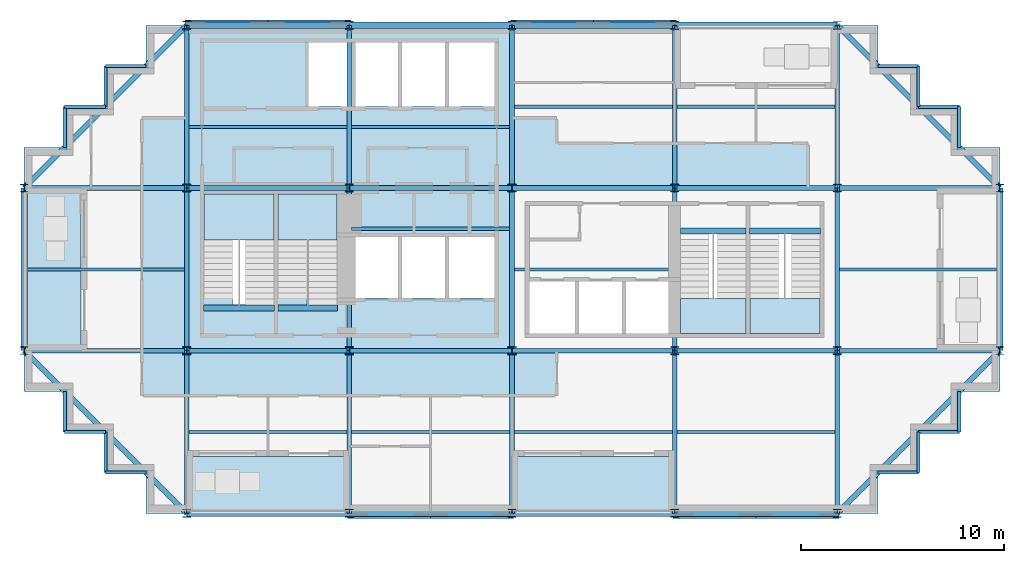
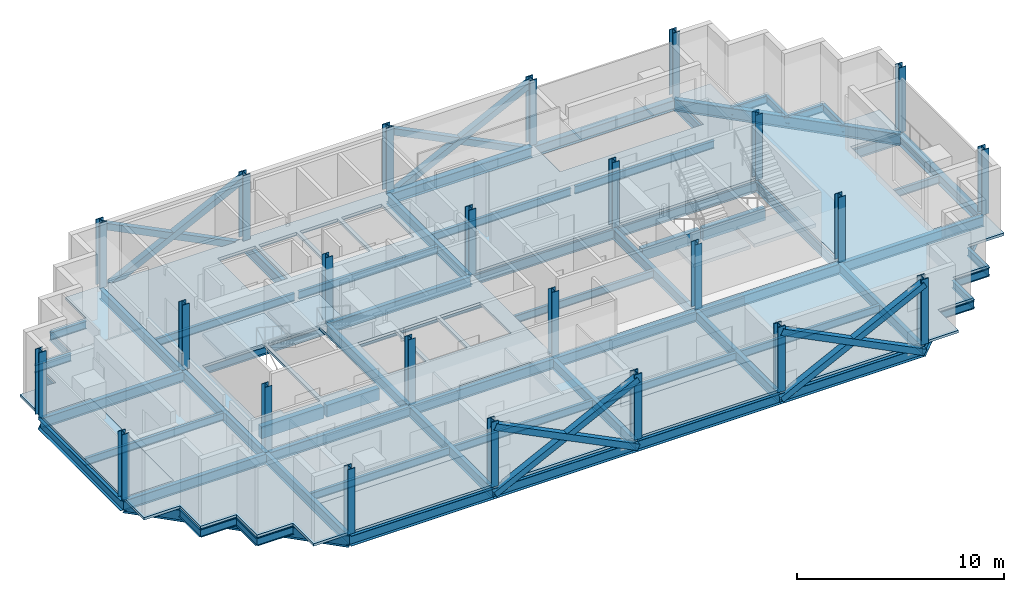
# One storey, part 1 of 8: 73 beams, 24 columns, 9 slabs, 8 members, 4 elements without a shape of their own.
"""IFC4 building model written with IfcOpenShell, lengths in metres."""

from ifc_helpers import new_model, si_unit, direction, frame, origin, origin_2d, place, context, subcontext, project, spatial, polyline, rectangle, hollow_rectangle, i_section, outline, extrude, material, layer, layer_set, material_profile, profile_set, type_object, element, aggregate, save


model = new_model("IFC4")

# Units and contexts
model_context = context("Model", 3, precision=1e-05, world=origin(), true_north=direction((0.0, 1.0)))
body_context = subcontext(model_context, "Body", "Model", "MODEL_VIEW")
ifc_project = project(units=[si_unit("LENGTHUNIT", "METRE"), si_unit("AREAUNIT", "SQUARE_METRE"), si_unit("VOLUMEUNIT", "CUBIC_METRE"), si_unit("PLANEANGLEUNIT", "RADIAN"), si_unit("MASSUNIT", "GRAM", prefix="KILO")], contexts=[model_context])

# Site, building, storey
site_placement = place(None, origin())
site = spatial("IfcSite", under=ifc_project, at=site_placement, CompositionType="ELEMENT")
building_placement = place(site_placement, origin())
building = spatial("IfcBuilding", under=site, at=building_placement, Name="Immortelle Media Tower", CompositionType="ELEMENT")
storey_placement = place(building_placement, frame((0.0, 0.0, 209.0)))
storey = spatial("IfcBuildingStorey", under=building, at=storey_placement, Name="L44", CompositionType="ELEMENT", Elevation=209.0)

# Columns
ifc_material_1 = material(Name="Steel ASTM A992 Gr 50", Category="steel")
ifc_material_profile_1 = material_profile(ifc_material_1, i_section(OverallWidth=0.39404296875, OverallDepth=0.3759765625, WebThickness=0.01708984375, FlangeThickness=0.028076171875, at=origin_2d()), Name="W14x145")
ifc_profile_set_1 = profile_set([ifc_material_profile_1], Name="Steel ASTM A992 Gr 50")
column_type_1 = type_object("IfcColumnType", Name="W14x145 column", PredefinedType="COLUMN", material=ifc_profile_set_1)
for number, where, z_axis, x_axis, name in (
    (1, (8.0, 8.0, 0.0), (0.0, 0.0, 1.0), (1.0, 0.0, 0.0), "Column 2/B"),
    (2, (8.0, 16.0, 0.0), (0.0, 0.0, 1.0), (1.0, 0.0, 0.0), "Column 2/C"),
    (3, (16.0, 8.0, 0.0), (0.0, 0.0, 1.0), (1.0, 0.0, 0.0), "Column 3/B"),
    (4, (16.0, 16.0, 0.0), (0.0, 0.0, 1.0), (1.0, 0.0, 0.0), "Column 3/C"),
    (5, (32.0, 8.0, 0.0), (0.0, 0.0, 1.0), (1.0, 0.0, 0.0), "Column 5/B"),
    (6, (32.0, 16.0, 0.0), (0.0, 0.0, 1.0), (1.0, 0.0, 0.0), "Column 5/C"),
    (7, (40.0, 8.0, 0.0), (0.0, 0.0, 1.0), (1.0, 0.0, 0.0), "Column 6/B"),
    (8, (40.0, 16.0, 0.0), (0.0, 0.0, 1.0), (1.0, 0.0, 0.0), "Column 6/C"),
):
    element("IfcColumn", number, at=place(storey_placement, frame(where, z_axis=z_axis, x_axis=x_axis)), inside=storey, type_object=column_type_1, Name=name, PredefinedType="COLUMN", context=body_context, shape_type="SweptSolid", body=[
        extrude(i_section(OverallWidth=0.39404296875, OverallDepth=0.3759765625, WebThickness=0.01708984375, FlangeThickness=0.028076171875, at=origin_2d()), origin(), (0.0, 0.0, 1.0), 3.85009765625),
    ])
ifc_material_profile_2 = material_profile(ifc_material_1, i_section(OverallWidth=0.39892578125, OverallDepth=0.385986328125, WebThickness=0.02099609375, FlangeThickness=0.032958984375, at=origin_2d()), Name="W14x176")
ifc_profile_set_2 = profile_set([ifc_material_profile_2], Name="Steel ASTM A992 Gr 50")
column_type_2 = type_object("IfcColumnType", Name="W14x176 column", PredefinedType="COLUMN", material=ifc_profile_set_2)
for number, where, z_axis, x_axis, name in (
    (9, (24.0, 8.0, 0.0), (0.0, 0.0, 1.0), (1.0, 0.0, 0.0), "Column 4/B"),
    (10, (24.0, 16.0, 0.0), (0.0, 0.0, 1.0), (1.0, 0.0, 0.0), "Column 4/C"),
):
    element("IfcColumn", number, at=place(storey_placement, frame(where, z_axis=z_axis, x_axis=x_axis)), inside=storey, type_object=column_type_2, Name=name, PredefinedType="COLUMN", context=body_context, shape_type="SweptSolid", body=[
        extrude(i_section(OverallWidth=0.39892578125, OverallDepth=0.385986328125, WebThickness=0.02099609375, FlangeThickness=0.032958984375, at=origin_2d()), origin(), (0.0, 0.0, 1.0), 3.85009765625),
    ])
ifc_material_profile_3 = material_profile(ifc_material_1, i_section(OverallWidth=0.40087890625, OverallDepth=0.39892578125, WebThickness=0.02490234375, FlangeThickness=0.0400390625, at=origin_2d()), Name="W14x211")
ifc_profile_set_3 = profile_set([ifc_material_profile_3], Name="Steel ASTM A992 Gr 50")
column_type_3 = type_object("IfcColumnType", Name="W14x211 column", PredefinedType="COLUMN", material=ifc_profile_set_3)
for number, where, z_axis, x_axis, name in (
    (11, (0.0, 8.0, 0.0), (0.0, 0.0, 1.0), (1.0, 0.0, 0.0), "Column 1/B"),
    (12, (0.0, 16.0, 0.0), (0.0, 0.0, 1.0), (1.0, 0.0, 0.0), "Column 1/C"),
    (13, (8.0, 0.0, 0.0), (0.0, 0.0, 1.0), (1.0, 0.0, 0.0), "Column 2/A"),
    (14, (40.0, 24.0, 0.0), (0.0, 0.0, 1.0), (1.0, 0.0, 0.0), "Column 6/D"),
    (15, (48.0, 8.0, 0.0), (0.0, 0.0, 1.0), (1.0, 0.0, 0.0), "Column 7/B"),
    (16, (48.0, 16.0, 0.0), (0.0, 0.0, 1.0), (1.0, 0.0, 0.0), "Column 7/C"),
):
    element("IfcColumn", number, at=place(storey_placement, frame(where, z_axis=z_axis, x_axis=x_axis)), inside=storey, type_object=column_type_3, Name=name, PredefinedType="COLUMN", context=body_context, shape_type="SweptSolid", body=[
        extrude(i_section(OverallWidth=0.40087890625, OverallDepth=0.39892578125, WebThickness=0.02490234375, FlangeThickness=0.0400390625, at=origin_2d()), origin(), (0.0, 0.0, 1.0), 3.85009765625),
    ])
ifc_material_profile_4 = material_profile(ifc_material_1, i_section(OverallWidth=0.410888671875, OverallDepth=0.43408203125, WebThickness=0.035888671875, FlangeThickness=0.056884765625, at=origin_2d()), Name="W14x311")
ifc_profile_set_4 = profile_set([ifc_material_profile_4], Name="Steel ASTM A992 Gr 50")
column_type_4 = type_object("IfcColumnType", Name="W14x311 column", PredefinedType="COLUMN", material=ifc_profile_set_4)
for number, where, z_axis, x_axis, name in (
    (17, (8.0, 24.0, 0.0), (0.0, 0.0, 1.0), (1.0, 0.0, 0.0), "Column 2/D"),
    (18, (16.0, 0.0, 0.0), (0.0, 0.0, 1.0), (1.0, 0.0, 0.0), "Column 3/A"),
    (19, (16.0, 24.0, 0.0), (0.0, 0.0, 1.0), (1.0, 0.0, 0.0), "Column 3/D"),
    (20, (24.0, 0.0, 0.0), (0.0, 0.0, 1.0), (1.0, 0.0, 0.0), "Column 4/A"),
    (21, (24.0, 24.0, 0.0), (0.0, 0.0, 1.0), (1.0, 0.0, 0.0), "Column 4/D"),
    (22, (32.0, 0.0, 0.0), (0.0, 0.0, 1.0), (1.0, 0.0, 0.0), "Column 5/A"),
    (23, (32.0, 24.0, 0.0), (0.0, 0.0, 1.0), (1.0, 0.0, 0.0), "Column 5/D"),
    (24, (40.0, 0.0, 0.0), (0.0, 0.0, 1.0), (1.0, 0.0, 0.0), "Column 6/A"),
):
    element("IfcColumn", number, at=place(storey_placement, frame(where, z_axis=z_axis, x_axis=x_axis)), inside=storey, type_object=column_type_4, Name=name, PredefinedType="COLUMN", context=body_context, shape_type="SweptSolid", body=[
        extrude(i_section(OverallWidth=0.410888671875, OverallDepth=0.43408203125, WebThickness=0.035888671875, FlangeThickness=0.056884765625, at=origin_2d()), origin(), (0.0, 0.0, 1.0), 3.85009765625),
    ])

# Members
ifc_material_2 = material(Name="Steel ASTM A500 Gr C", Category="steel")
ifc_material_profile_5 = material_profile(ifc_material_2, hollow_rectangle(XDim=0.35595703125, YDim=0.35595703125, WallThickness=0.011962890625, at=origin_2d()), Name="HSS14x14x1/2 brace")
ifc_profile_set_5 = profile_set([ifc_material_profile_5], Name="Steel ASTM A500 Gr C")
member_type = type_object("IfcMemberType", Name="HSS14x14x1/2 brace", PredefinedType="BRACE", material=ifc_profile_set_5)
for number, where, z_axis, x_axis, name in (
    (25, (16.0, -0.087890625, -0.4560546875), (0.894427191, 0.0, 0.4472135955), (0.0, 1.0, 0.0), "Brace A/3-4 A"),
    (26, (16.0, -0.087890625, 3.5439453125), (0.894427191, 0.0, -0.4472135955), (0.0, 1.0, 0.0), "Brace A/3-4 B"),
    (27, (32.0, -0.087890625, -0.4560546875), (0.894427191, 0.0, 0.4472135955), (0.0, 1.0, 0.0), "Brace A/5-6 A"),
    (28, (32.0, -0.087890625, 3.5439453125), (0.894427191, 0.0, -0.4472135955), (0.0, 1.0, 0.0), "Brace A/5-6 B"),
    (29, (32.0, 24.087890625, -0.4560546875), (-0.894427191, 0.0, 0.4472135955), (0.0, -1.0, 0.0), "Brace D/4-5 A"),
    (30, (32.0, 24.087890625, 3.5439453125), (-0.894427191, 0.0, -0.4472135955), (0.0, -1.0, 0.0), "Brace D/4-5 B"),
    (31, (16.0, 24.087890625, -0.4560546875), (-0.894427191, 0.0, 0.4472135955), (0.0, -1.0, 0.0), "Brace D/2-3 A"),
    (32, (16.0, 24.087890625, 3.5439453125), (-0.894427191, 0.0, -0.4472135955), (0.0, -1.0, 0.0), "Brace D/2-3 B"),
):
    element("IfcMember", number, at=place(storey_placement, frame(where, z_axis=z_axis, x_axis=x_axis)), inside=storey, type_object=member_type, Name=name, PredefinedType="BRACE", context=body_context, shape_type="SweptSolid", body=[
        extrude(hollow_rectangle(XDim=0.35595703125, YDim=0.35595703125, WallThickness=0.011962890625, at=origin_2d()), origin(), (0.0, 0.0, 1.0), 8.9443359375),
    ])

# Beams
ifc_material_3 = material(Name="Concrete C50/60", Category="concrete")
ifc_material_profile_6 = material_profile(ifc_material_3, rectangle(XDim=0.300048828125, YDim=0.699951171875, at=origin_2d()), Name="RC 300x700")
ifc_profile_set_6 = profile_set([ifc_material_profile_6], Name="Concrete C50/60")
beam_type_1 = type_object("IfcBeamType", Name="Stair trimmer beam 300 x 700", PredefinedType="BEAM", material=ifc_profile_set_6)
beam_1_placement = place(storey_placement, frame((8.830078125, 10.10498046875, -0.5), z_axis=(1.0, 0.0, 0.0), x_axis=(0.0, 1.0, 0.0)))
element("IfcBeam", 33, at=beam_1_placement, inside=storey, type_object=beam_type_1, Name="Stair trimmer beam SW1", PredefinedType="BEAM", context=body_context, shape_type="SweptSolid", body=[
    extrude(rectangle(XDim=0.300048828125, YDim=0.699951171875, at=origin_2d()), origin(), (0.0, 0.0, 1.0), 3.489990234375),
])
beam_2_placement = place(storey_placement, frame((12.47998046875, 10.10498046875, -0.5), z_axis=(1.0, 0.0, 0.0), x_axis=(0.0, 1.0, 0.0)))
element("IfcBeam", 34, at=beam_2_placement, inside=storey, type_object=beam_type_1, Name="Stair trimmer beam SW2", PredefinedType="BEAM", context=body_context, shape_type="SweptSolid", body=[
    extrude(rectangle(XDim=0.300048828125, YDim=0.699951171875, at=origin_2d()), origin(), (0.0, 0.0, 1.0), 2.93994140625),
])
beam_3_placement = place(storey_placement, frame((32.280029296875, 13.89501953125, -0.5), z_axis=(1.0, 0.0, 0.0), x_axis=(0.0, 1.0, 0.0)))
element("IfcBeam", 35, at=beam_3_placement, inside=storey, type_object=beam_type_1, Name="Stair trimmer beam SE1", PredefinedType="BEAM", context=body_context, shape_type="SweptSolid", body=[
    extrude(rectangle(XDim=0.300048828125, YDim=0.699951171875, at=origin_2d()), origin(), (0.0, 0.0, 1.0), 3.239990234375),
])
beam_4_placement = place(storey_placement, frame((35.679931640625, 13.89501953125, -0.5), z_axis=(1.0, 0.0, 0.0), x_axis=(0.0, 1.0, 0.0)))
element("IfcBeam", 36, at=beam_4_placement, inside=storey, type_object=beam_type_1, Name="Stair trimmer beam SE2", PredefinedType="BEAM", context=body_context, shape_type="SweptSolid", body=[
    extrude(rectangle(XDim=0.300048828125, YDim=0.699951171875, at=origin_2d()), origin(), (0.0, 0.0, 1.0), 3.489990234375),
])
ifc_material_profile_7 = material_profile(ifc_material_1, i_section(OverallWidth=0.153076171875, OverallDepth=0.455078125, WebThickness=0.008056640625, FlangeThickness=0.012939453125, at=origin_2d()), Name="W18x40")
ifc_profile_set_7 = profile_set([ifc_material_profile_7], Name="Steel ASTM A992 Gr 50")
beam_type_2 = type_object("IfcBeamType", Name="W18x40 secondary beam", PredefinedType="JOIST", material=ifc_profile_set_7)
for number, where, z_axis, x_axis, name in (
    (37, (8.114013671875, 4.0, -0.37744140625), (1.0, 0.0, 0.0), (0.0, 1.0, 0.0), "Beam A-B/2-3"),
    (38, (16.114013671875, 4.0, -0.37744140625), (1.0, 0.0, 0.0), (0.0, 1.0, 0.0), "Beam A-B/3-4"),
    (39, (24.114013671875, 4.0, -0.37744140625), (1.0, 0.0, 0.0), (0.0, 1.0, 0.0), "Beam A-B/4-5"),
    (40, (32.114013671875, 4.0, -0.37744140625), (1.0, 0.0, 0.0), (0.0, 1.0, 0.0), "Beam A-B/5-6"),
):
    element("IfcBeam", number, at=place(storey_placement, frame(where, z_axis=z_axis, x_axis=x_axis)), inside=storey, type_object=beam_type_2, Name=name, PredefinedType="JOIST", context=body_context, shape_type="SweptSolid", body=[
        extrude(i_section(OverallWidth=0.153076171875, OverallDepth=0.455078125, WebThickness=0.008056640625, FlangeThickness=0.012939453125, at=origin_2d()), origin(), (0.0, 0.0, 1.0), 7.77197265625),
    ])
beam_5_placement = place(storey_placement, frame((0.162109375, 12.0, -0.37744140625), z_axis=(1.0, 0.0, 0.0), x_axis=(0.0, 1.0, 0.0)))
element("IfcBeam", 41, at=beam_5_placement, inside=storey, type_object=beam_type_2, Name="Beam B-C/1-2", PredefinedType="JOIST", context=body_context, shape_type="SweptSolid", body=[
    extrude(i_section(OverallWidth=0.153076171875, OverallDepth=0.455078125, WebThickness=0.008056640625, FlangeThickness=0.012939453125, at=origin_2d()), origin(), (0.0, 0.0, 1.0), 7.723876953125),
])
for number, where, z_axis, x_axis, name in (
    (42, (16.114013671875, 14.0, -0.37744140625), (1.0, 0.0, 0.0), (0.0, 1.0, 0.0), "Beam B-C/3-4"),
    (43, (24.114013671875, 12.0, -0.37744140625), (1.0, 0.0, 0.0), (0.0, 1.0, 0.0), "Beam B-C/4-5"),
):
    element("IfcBeam", number, at=place(storey_placement, frame(where, z_axis=z_axis, x_axis=x_axis)), inside=storey, type_object=beam_type_2, Name=name, PredefinedType="JOIST", context=body_context, shape_type="SweptSolid", body=[
        extrude(i_section(OverallWidth=0.153076171875, OverallDepth=0.455078125, WebThickness=0.008056640625, FlangeThickness=0.012939453125, at=origin_2d()), origin(), (0.0, 0.0, 1.0), 7.77197265625),
    ])
beam_6_placement = place(storey_placement, frame((40.114013671875, 12.0, -0.37744140625), z_axis=(1.0, 0.0, 0.0), x_axis=(0.0, 1.0, 0.0)))
element("IfcBeam", 44, at=beam_6_placement, inside=storey, type_object=beam_type_2, Name="Beam B-C/6-7", PredefinedType="JOIST", context=body_context, shape_type="SweptSolid", body=[
    extrude(i_section(OverallWidth=0.153076171875, OverallDepth=0.455078125, WebThickness=0.008056640625, FlangeThickness=0.012939453125, at=origin_2d()), origin(), (0.0, 0.0, 1.0), 7.723876953125),
])
for number, where, z_axis, x_axis, name in (
    (45, (8.114013671875, 19.0, -0.37744140625), (1.0, 0.0, 0.0), (0.0, 1.0, 0.0), "Beam C-D/2-3"),
    (46, (16.114013671875, 19.0, -0.37744140625), (1.0, 0.0, 0.0), (0.0, 1.0, 0.0), "Beam C-D/3-4"),
    (47, (24.114013671875, 20.0, -0.37744140625), (1.0, 0.0, 0.0), (0.0, 1.0, 0.0), "Beam C-D/4-5"),
    (48, (32.114013671875, 20.0, -0.37744140625), (1.0, 0.0, 0.0), (0.0, 1.0, 0.0), "Beam C-D/5-6"),
):
    element("IfcBeam", number, at=place(storey_placement, frame(where, z_axis=z_axis, x_axis=x_axis)), inside=storey, type_object=beam_type_2, Name=name, PredefinedType="JOIST", context=body_context, shape_type="SweptSolid", body=[
        extrude(i_section(OverallWidth=0.153076171875, OverallDepth=0.455078125, WebThickness=0.008056640625, FlangeThickness=0.012939453125, at=origin_2d()), origin(), (0.0, 0.0, 1.0), 7.77197265625),
    ])
ifc_material_profile_8 = material_profile(ifc_material_1, i_section(OverallWidth=0.153076171875, OverallDepth=0.455078125, WebThickness=0.008056640625, FlangeThickness=0.012939453125, at=origin_2d()), Name="W18x40")
ifc_profile_set_8 = profile_set([ifc_material_profile_8], Name="Steel ASTM A992 Gr 50")
beam_type_3 = type_object("IfcBeamType", Name="W18x40 serration edge beam", PredefinedType="SPANDREL", material=ifc_profile_set_8)
for number, where, z_axis, x_axis, name in (
    (49, (6.0, 2.0, -0.37744140625), (-1.0, 0.0, 0.0), (0.0, -1.0, 0.0), "Corner edge beam 1 at 1/A"),
    (50, (4.0, 2.0, -0.37744140625), (0.0, 1.0, 0.0), (-1.0, 0.0, 0.0), "Corner edge beam 2 at 1/A"),
    (51, (4.0, 4.0, -0.37744140625), (-1.0, 0.0, 0.0), (0.0, -1.0, 0.0), "Corner edge beam 3 at 1/A"),
    (52, (2.0, 4.0, -0.37744140625), (0.0, 1.0, 0.0), (-1.0, 0.0, 0.0), "Corner edge beam 4 at 1/A"),
    (53, (2.0, 18.0, -0.37744140625), (0.0, 1.0, 0.0), (-1.0, 0.0, 0.0), "Corner edge beam 1 at 1/D"),
    (54, (2.0, 20.0, -0.37744140625), (1.0, 0.0, 0.0), (0.0, 1.0, 0.0), "Corner edge beam 2 at 1/D"),
    (55, (4.0, 20.0, -0.37744140625), (0.0, 1.0, 0.0), (-1.0, 0.0, 0.0), "Corner edge beam 3 at 1/D"),
    (56, (4.0, 22.0, -0.37744140625), (1.0, 0.0, 0.0), (0.0, 1.0, 0.0), "Corner edge beam 4 at 1/D"),
    (57, (46.0, 6.0, -0.37744140625), (0.0, -1.0, 0.0), (1.0, 0.0, 0.0), "Corner edge beam 1 at 7/A"),
    (58, (46.0, 4.0, -0.37744140625), (-1.0, 0.0, 0.0), (0.0, -1.0, 0.0), "Corner edge beam 2 at 7/A"),
    (59, (44.0, 4.0, -0.37744140625), (0.0, -1.0, 0.0), (1.0, 0.0, 0.0), "Corner edge beam 3 at 7/A"),
    (60, (44.0, 2.0, -0.37744140625), (-1.0, 0.0, 0.0), (0.0, -1.0, 0.0), "Corner edge beam 4 at 7/A"),
    (61, (42.0, 22.0, -0.37744140625), (1.0, 0.0, 0.0), (0.0, 1.0, 0.0), "Corner edge beam 1 at 7/D"),
    (62, (44.0, 22.0, -0.37744140625), (0.0, -1.0, 0.0), (1.0, 0.0, 0.0), "Corner edge beam 2 at 7/D"),
    (63, (44.0, 20.0, -0.37744140625), (1.0, 0.0, 0.0), (0.0, 1.0, 0.0), "Corner edge beam 3 at 7/D"),
    (64, (46.0, 20.0, -0.37744140625), (0.0, -1.0, 0.0), (1.0, 0.0, 0.0), "Corner edge beam 4 at 7/D"),
):
    element("IfcBeam", number, at=place(storey_placement, frame(where, z_axis=z_axis, x_axis=x_axis)), inside=storey, type_object=beam_type_3, Name=name, PredefinedType="SPANDREL", context=body_context, shape_type="SweptSolid", body=[
        extrude(i_section(OverallWidth=0.153076171875, OverallDepth=0.455078125, WebThickness=0.008056640625, FlangeThickness=0.012939453125, at=origin_2d()), origin(), (0.0, 0.0, 1.0), 2.0),
    ])
ifc_material_profile_9 = material_profile(ifc_material_1, i_section(OverallWidth=0.323974609375, OverallDepth=0.612060546875, WebThickness=0.012939453125, FlangeThickness=0.01904296875, at=origin_2d()), Name="W24x104")
ifc_profile_set_9 = profile_set([ifc_material_profile_9], Name="Steel ASTM A992 Gr 50")
beam_type_4 = type_object("IfcBeamType", Name="W24x104 perimeter girder", PredefinedType="SPANDREL", material=ifc_profile_set_9)
for number, where, z_axis, x_axis, name in (
    (65, (0.0, 8.0, -0.4560546875), (0.0, 1.0, 0.0), (-1.0, 0.0, 0.0), "Girder 1/B-C"),
    (66, (8.0, 0.0, -0.4560546875), (1.0, 0.0, 0.0), (0.0, 1.0, 0.0), "Girder A/2-3"),
    (67, (8.0, 24.0, -0.4560546875), (1.0, 0.0, 0.0), (0.0, 1.0, 0.0), "Girder D/2-3"),
    (68, (16.0, 0.0, -0.4560546875), (1.0, 0.0, 0.0), (0.0, 1.0, 0.0), "Girder A/3-4"),
    (69, (16.0, 24.0, -0.4560546875), (1.0, 0.0, 0.0), (0.0, 1.0, 0.0), "Girder D/3-4"),
    (70, (24.0, 0.0, -0.4560546875), (1.0, 0.0, 0.0), (0.0, 1.0, 0.0), "Girder A/4-5"),
    (71, (24.0, 24.0, -0.4560546875), (1.0, 0.0, 0.0), (0.0, 1.0, 0.0), "Girder D/4-5"),
    (72, (32.0, 0.0, -0.4560546875), (1.0, 0.0, 0.0), (0.0, 1.0, 0.0), "Girder A/5-6"),
    (73, (32.0, 24.0, -0.4560546875), (1.0, 0.0, 0.0), (0.0, 1.0, 0.0), "Girder D/5-6"),
    (74, (48.0, 8.0, -0.4560546875), (0.0, 1.0, 0.0), (-1.0, 0.0, 0.0), "Girder 7/B-C"),
):
    element("IfcBeam", number, at=place(storey_placement, frame(where, z_axis=z_axis, x_axis=x_axis)), inside=storey, type_object=beam_type_4, Name=name, PredefinedType="SPANDREL", context=body_context, shape_type="SweptSolid", body=[
        extrude(i_section(OverallWidth=0.323974609375, OverallDepth=0.612060546875, WebThickness=0.012939453125, FlangeThickness=0.01904296875, at=origin_2d()), origin(), (0.0, 0.0, 1.0), 8.0),
    ])
ifc_material_profile_10 = material_profile(ifc_material_1, i_section(OverallWidth=0.22802734375, OverallDepth=0.60205078125, WebThickness=0.010986328125, FlangeThickness=0.014892578125, at=origin_2d()), Name="W24x68")
ifc_profile_set_10 = profile_set([ifc_material_profile_10], Name="Steel ASTM A992 Gr 50")
beam_type_5 = type_object("IfcBeamType", Name="W24x68 girder", PredefinedType="BEAM", material=ifc_profile_set_10)
for number, where, z_axis, x_axis, name in (
    (75, (0.0, 8.0, -0.450927734375), (1.0, 0.0, 0.0), (0.0, 1.0, 0.0), "Girder B/1-2"),
    (76, (0.0, 16.0, -0.450927734375), (1.0, 0.0, 0.0), (0.0, 1.0, 0.0), "Girder C/1-2"),
    (77, (8.0, 0.0, -0.450927734375), (0.0, 1.0, 0.0), (-1.0, 0.0, 0.0), "Girder 2/A-B"),
    (78, (8.0, 8.0, -0.450927734375), (1.0, 0.0, 0.0), (0.0, 1.0, 0.0), "Girder B/2-3"),
    (79, (8.0, 8.0, -0.450927734375), (0.0, 1.0, 0.0), (-1.0, 0.0, 0.0), "Girder 2/B-C"),
    (80, (8.0, 16.0, -0.450927734375), (1.0, 0.0, 0.0), (0.0, 1.0, 0.0), "Girder C/2-3"),
    (81, (8.0, 16.0, -0.450927734375), (0.0, 1.0, 0.0), (-1.0, 0.0, 0.0), "Girder 2/C-D"),
    (82, (16.0, 0.0, -0.450927734375), (0.0, 1.0, 0.0), (-1.0, 0.0, 0.0), "Girder 3/A-B"),
    (83, (16.0, 8.0, -0.450927734375), (1.0, 0.0, 0.0), (0.0, 1.0, 0.0), "Girder B/3-4"),
    (84, (16.0, 8.0, -0.450927734375), (0.0, 1.0, 0.0), (-1.0, 0.0, 0.0), "Girder 3/B-C"),
    (85, (16.0, 16.0, -0.450927734375), (1.0, 0.0, 0.0), (0.0, 1.0, 0.0), "Girder C/3-4"),
    (86, (16.0, 16.0, -0.450927734375), (0.0, 1.0, 0.0), (-1.0, 0.0, 0.0), "Girder 3/C-D"),
    (87, (24.0, 0.0, -0.450927734375), (0.0, 1.0, 0.0), (-1.0, 0.0, 0.0), "Girder 4/A-B"),
    (88, (24.0, 8.0, -0.450927734375), (1.0, 0.0, 0.0), (0.0, 1.0, 0.0), "Girder B/4-5"),
    (89, (24.0, 8.0, -0.450927734375), (0.0, 1.0, 0.0), (-1.0, 0.0, 0.0), "Girder 4/B-C"),
    (90, (24.0, 16.0, -0.450927734375), (1.0, 0.0, 0.0), (0.0, 1.0, 0.0), "Girder C/4-5"),
    (91, (24.0, 16.0, -0.450927734375), (0.0, 1.0, 0.0), (-1.0, 0.0, 0.0), "Girder 4/C-D"),
    (92, (32.0, 0.0, -0.450927734375), (0.0, 1.0, 0.0), (-1.0, 0.0, 0.0), "Girder 5/A-B"),
    (93, (32.0, 8.0, -0.450927734375), (1.0, 0.0, 0.0), (0.0, 1.0, 0.0), "Girder B/5-6"),
    (94, (32.0, 8.0, -0.450927734375), (0.0, 1.0, 0.0), (-1.0, 0.0, 0.0), "Girder 5/B-C"),
    (95, (32.0, 16.0, -0.450927734375), (1.0, 0.0, 0.0), (0.0, 1.0, 0.0), "Girder C/5-6"),
    (96, (32.0, 16.0, -0.450927734375), (0.0, 1.0, 0.0), (-1.0, 0.0, 0.0), "Girder 5/C-D"),
    (97, (40.0, 0.0, -0.450927734375), (0.0, 1.0, 0.0), (-1.0, 0.0, 0.0), "Girder 6/A-B"),
    (98, (40.0, 8.0, -0.450927734375), (1.0, 0.0, 0.0), (0.0, 1.0, 0.0), "Girder B/6-7"),
    (99, (40.0, 8.0, -0.450927734375), (0.0, 1.0, 0.0), (-1.0, 0.0, 0.0), "Girder 6/B-C"),
    (100, (40.0, 16.0, -0.450927734375), (1.0, 0.0, 0.0), (0.0, 1.0, 0.0), "Girder C/6-7"),
    (101, (40.0, 16.0, -0.450927734375), (0.0, 1.0, 0.0), (-1.0, 0.0, 0.0), "Girder 6/C-D"),
):
    element("IfcBeam", number, at=place(storey_placement, frame(where, z_axis=z_axis, x_axis=x_axis)), inside=storey, type_object=beam_type_5, Name=name, PredefinedType="BEAM", context=body_context, shape_type="SweptSolid", body=[
        extrude(i_section(OverallWidth=0.22802734375, OverallDepth=0.60205078125, WebThickness=0.010986328125, FlangeThickness=0.014892578125, at=origin_2d()), origin(), (0.0, 0.0, 1.0), 8.0),
    ])
ifc_material_profile_11 = material_profile(ifc_material_1, i_section(OverallWidth=0.257080078125, OverallDepth=0.693115234375, WebThickness=0.013916015625, FlangeThickness=0.02392578125, at=origin_2d()), Name="W27x114")
ifc_profile_set_11 = profile_set([ifc_material_profile_11], Name="Steel ASTM A992 Gr 50")
beam_type_6 = type_object("IfcBeamType", Name="W27x114 corner girder", PredefinedType="SPANDREL", material=ifc_profile_set_11)
for number, where, z_axis, x_axis, name in (
    (102, (8.0, 0.0, -0.49658203125), (-0.707106781187, 0.707106781187, 0.0), (-0.707106781187, -0.707106781187, 0.0), "Corner girder at 1/A"),
    (103, (0.0, 16.0, -0.49658203125), (0.707106781187, 0.707106781187, 0.0), (-0.707106781187, 0.707106781187, 0.0), "Corner girder at 1/D"),
    (104, (48.0, 8.0, -0.49658203125), (-0.707106781187, -0.707106781187, 0.0), (0.707106781187, -0.707106781187, 0.0), "Corner girder at 7/A"),
    (105, (40.0, 24.0, -0.49658203125), (0.707106781187, -0.707106781187, 0.0), (0.707106781187, 0.707106781187, 0.0), "Corner girder at 7/D"),
):
    element("IfcBeam", number, at=place(storey_placement, frame(where, z_axis=z_axis, x_axis=x_axis)), inside=storey, type_object=beam_type_6, Name=name, PredefinedType="SPANDREL", context=body_context, shape_type="SweptSolid", body=[
        extrude(i_section(OverallWidth=0.257080078125, OverallDepth=0.693115234375, WebThickness=0.013916015625, FlangeThickness=0.02392578125, at=origin_2d()), origin(), (0.0, 0.0, 1.0), 11.313720703125),
    ])

# Slabs
ifc_material_4 = material(Name="Concrete C50/60 composite deck", Category="concrete")
ifc_layer_1 = layer(ifc_material_4, 0.14990234375)
ifc_layer_set_1 = layer_set([ifc_layer_1], Name="Concrete C50/60 composite deck")
slab_type_1 = type_object("IfcSlabType", Name="Balcony slab 150", PredefinedType="FLOOR", material=ifc_layer_set_1)
slab_1_placement = place(storey_placement, frame((0.0, 0.0, -0.14990234375)))
element("IfcSlab", 106, at=slab_1_placement, inside=storey, type_object=slab_type_1, Name="Balcony slab L44 S0", PredefinedType="FLOOR", context=body_context, shape_type="SweptSolid", body=[
    extrude(outline(polyline([(16.0, 0.0), (16.0, 2.800048828125), (8.0, 2.800048828125), (8.0, 0.0), (16.0, 0.0)])), origin(), (0.0, 0.0, 1.0), 0.14990234375),
])
slab_2_placement = place(storey_placement, frame((0.0, 0.0, -0.14990234375)))
element("IfcSlab", 107, at=slab_2_placement, inside=storey, type_object=slab_type_1, Name="Balcony slab L44 S2", PredefinedType="FLOOR", context=body_context, shape_type="SweptSolid", body=[
    extrude(outline(polyline([(32.0, 0.0), (32.0, 2.800048828125), (24.0, 2.800048828125), (24.0, 0.0), (32.0, 0.0)])), origin(), (0.0, 0.0, 1.0), 0.14990234375),
])
slab_3_placement = place(storey_placement, frame((0.0, 0.0, -0.14990234375)))
element("IfcSlab", 108, at=slab_3_placement, inside=storey, type_object=slab_type_1, Name="Balcony slab L44 W0", PredefinedType="FLOOR", context=body_context, shape_type="SweptSolid", body=[
    extrude(outline(polyline([(2.800048828125, 8.0), (2.800048828125, 16.0), (0.0, 16.0), (0.0, 8.0), (2.800048828125, 8.0)])), origin(), (0.0, 0.0, 1.0), 0.14990234375),
])
ifc_layer_2 = layer(ifc_material_3, 0.14990234375)
ifc_layer_set_2 = layer_set([ifc_layer_2], Name="Concrete C50/60")
slab_type_2 = type_object("IfcSlabType", Name="Composite floor slab 150", PredefinedType="FLOOR", material=ifc_layer_set_2)
slab_4_placement = place(storey_placement, frame((0.0, 0.0, -0.14990234375)))
element("IfcSlab", 109, at=slab_4_placement, inside=storey, type_object=slab_type_2, Name="Floor slab L44", PredefinedType="FLOOR", context=body_context, shape_type="SweptSolid", body=[
    extrude(outline(polyline([(6.0, 0.0), (6.0, 2.0), (4.0, 2.0), (4.0, 4.0), (2.0, 4.0), (2.0, 6.0), (0.0, 6.0), (0.0, 8.0), (2.800048828125, 8.0), (2.800048828125, 16.0), (0.0, 16.0), (0.0, 18.0), (2.0, 18.0), (2.0, 20.0), (4.0, 20.0), (4.0, 22.0), (6.0, 22.0), (6.0, 24.0), (8.0, 24.0), (8.0, 8.0), (24.0, 8.0), (40.0, 8.0), (40.0, 16.0), (24.0, 16.0), (24.0, 21.199951171875), (24.0, 24.0), (32.0, 24.0), (32.0, 21.199951171875), (40.0, 21.199951171875), (40.0, 24.0), (42.0, 24.0), (42.0, 22.0), (44.0, 22.0), (44.0, 20.0), (46.0, 20.0), (46.0, 18.0), (48.0, 18.0), (48.0, 16.0), (45.199951171875, 16.0), (45.199951171875, 8.0), (48.0, 8.0), (48.0, 6.0), (46.0, 6.0), (46.0, 4.0), (44.0, 4.0), (44.0, 2.0), (42.0, 2.0), (42.0, 0.0), (32.0, 0.0), (32.0, 2.800048828125), (24.0, 2.800048828125), (24.0, 0.0), (16.0, 0.0), (16.0, 2.800048828125), (8.0, 2.800048828125), (8.0, 0.0), (6.0, 0.0)])), origin(), (0.0, 0.0, 1.0), 0.14990234375),
])
ifc_layer_3 = layer(ifc_material_3, 0.14990234375)
ifc_layer_set_3 = layer_set([ifc_layer_3], Name="Concrete C50/60")
slab_type_3 = type_object("IfcSlabType", Name="Core floor slab 150", PredefinedType="FLOOR", material=ifc_layer_set_3)
slab_5_placement = place(storey_placement, frame((0.0, 0.0, -0.14990234375)))
element("IfcSlab", 110, at=slab_5_placement, inside=storey, type_object=slab_type_3, Name="Core floor SW", PredefinedType="FLOOR", context=body_context, shape_type="SweptSolid", body=[
    extrude(outline(polyline([(8.0, 8.0), (24.0, 8.0), (24.0, 24.0), (8.0, 24.0), (8.0, 8.0)]), holes=[polyline([(14.0, 20.0), (16.10009765625, 20.0), (16.10009765625, 23.14990234375), (14.0, 23.14990234375), (14.0, 20.0)]), polyline([(16.300048828125, 20.0), (18.39990234375, 20.0), (18.39990234375, 23.14990234375), (16.300048828125, 23.14990234375), (16.300048828125, 20.0)]), polyline([(18.60009765625, 20.0), (20.699951171875, 20.0), (20.699951171875, 23.14990234375), (18.60009765625, 23.14990234375), (18.60009765625, 20.0)]), polyline([(20.89990234375, 20.0), (23.14990234375, 20.0), (23.14990234375, 23.14990234375), (20.89990234375, 23.14990234375), (20.89990234375, 20.0)]), polyline([(16.300048828125, 10.60009765625), (18.39990234375, 10.60009765625), (18.39990234375, 13.60009765625), (16.300048828125, 13.60009765625), (16.300048828125, 10.60009765625)]), polyline([(18.60009765625, 10.60009765625), (20.699951171875, 10.60009765625), (20.699951171875, 13.60009765625), (18.60009765625, 13.60009765625), (18.60009765625, 10.60009765625)]), polyline([(20.89990234375, 10.60009765625), (23.14990234375, 10.60009765625), (23.14990234375, 13.60009765625), (20.89990234375, 13.60009765625), (20.89990234375, 10.60009765625)]), polyline([(8.85009765625, 15.699951171875), (12.300048828125, 15.699951171875), (12.300048828125, 10.27001953125), (10.25, 10.27001953125), (10.25, 10.56005859375), (8.85009765625, 10.56005859375), (8.85009765625, 15.699951171875)]), polyline([(12.5, 15.699951171875), (15.39990234375, 15.699951171875), (15.39990234375, 10.27001953125), (13.89990234375, 10.27001953125), (13.89990234375, 10.56005859375), (12.5, 10.56005859375), (12.5, 15.699951171875)])]), origin(), (0.0, 0.0, 1.0), 0.14990234375),
])

# Stair, slab
stair_type = type_object("IfcStairType", Name="Stair with flights", PredefinedType="DOUBLE_RETURN_STAIR", material=ifc_material_1)
stair_1_placement = place(storey_placement, origin())
stair_1 = element("IfcStair", 111, at=stair_1_placement, inside=storey, type_object=stair_type, Name="Exit stair SW1", PredefinedType="DOUBLE_RETURN_STAIR")
ifc_material_5 = material(Name="Steel ASTM A572 Gr 50", Category="steel")
ifc_layer_4 = layer(ifc_material_5, 0.199951171875)
ifc_layer_set_4 = layer_set([ifc_layer_4], Name="Steel ASTM A572 Gr 50")
slab_type_4 = type_object("IfcSlabType", Name="Stair landing 200", PredefinedType="LANDING", material=ifc_layer_set_4)
slab_6_placement = place(storey_placement, frame((0.0, 0.0, 1.713134765625)))
slab_6 = element("IfcSlab", 112, at=slab_6_placement, type_object=slab_type_4, Name="ST SW1 landing 1", PredefinedType="LANDING", context=body_context, shape_type="SweptSolid", body=[
    extrude(outline(polyline([(8.85009765625, 13.43994140625), (12.300048828125, 13.43994140625), (12.300048828125, 15.699951171875), (8.85009765625, 15.699951171875), (8.85009765625, 13.43994140625)])), origin(), (0.0, 0.0, 1.0), 0.199951171875),
])
aggregate(stair_1, [slab_6])

stair_2_placement = place(storey_placement, origin())
stair_2 = element("IfcStair", 113, at=stair_2_placement, inside=storey, type_object=stair_type, Name="Exit stair SW2", PredefinedType="DOUBLE_RETURN_STAIR")
slab_7_placement = place(storey_placement, frame((0.0, 0.0, 1.713134765625)))
slab_7 = element("IfcSlab", 114, at=slab_7_placement, type_object=slab_type_4, Name="ST SW2 landing 1", PredefinedType="LANDING", context=body_context, shape_type="SweptSolid", body=[
    extrude(outline(polyline([(12.5, 13.43994140625), (15.39990234375, 13.43994140625), (15.39990234375, 15.699951171875), (12.5, 15.699951171875), (12.5, 13.43994140625)])), origin(), (0.0, 0.0, 1.0), 0.199951171875),
])
aggregate(stair_2, [slab_7])

stair_3_placement = place(storey_placement, origin())
stair_3 = element("IfcStair", 115, at=stair_3_placement, inside=storey, type_object=stair_type, Name="Exit stair SE1", PredefinedType="DOUBLE_RETURN_STAIR")
slab_8_placement = place(storey_placement, frame((0.0, 0.0, 1.713134765625)))
slab_8 = element("IfcSlab", 116, at=slab_8_placement, type_object=slab_type_4, Name="ST SE1 landing 1", PredefinedType="LANDING", context=body_context, shape_type="SweptSolid", body=[
    extrude(outline(polyline([(32.300048828125, 8.85009765625), (35.5, 8.85009765625), (35.5, 10.56005859375), (32.300048828125, 10.56005859375), (32.300048828125, 8.85009765625)])), origin(), (0.0, 0.0, 1.0), 0.199951171875),
])
aggregate(stair_3, [slab_8])

stair_4_placement = place(storey_placement, origin())
stair_4 = element("IfcStair", 117, at=stair_4_placement, inside=storey, type_object=stair_type, Name="Exit stair SE2", PredefinedType="DOUBLE_RETURN_STAIR")
slab_9_placement = place(storey_placement, frame((0.0, 0.0, 1.713134765625)))
slab_9 = element("IfcSlab", 118, at=slab_9_placement, type_object=slab_type_4, Name="ST SE2 landing 1", PredefinedType="LANDING", context=body_context, shape_type="SweptSolid", body=[
    extrude(outline(polyline([(35.699951171875, 8.85009765625), (39.14990234375, 8.85009765625), (39.14990234375, 10.56005859375), (35.699951171875, 10.56005859375), (35.699951171875, 8.85009765625)])), origin(), (0.0, 0.0, 1.0), 0.199951171875),
])
aggregate(stair_4, [slab_9])

save(model, "model.ifc")
